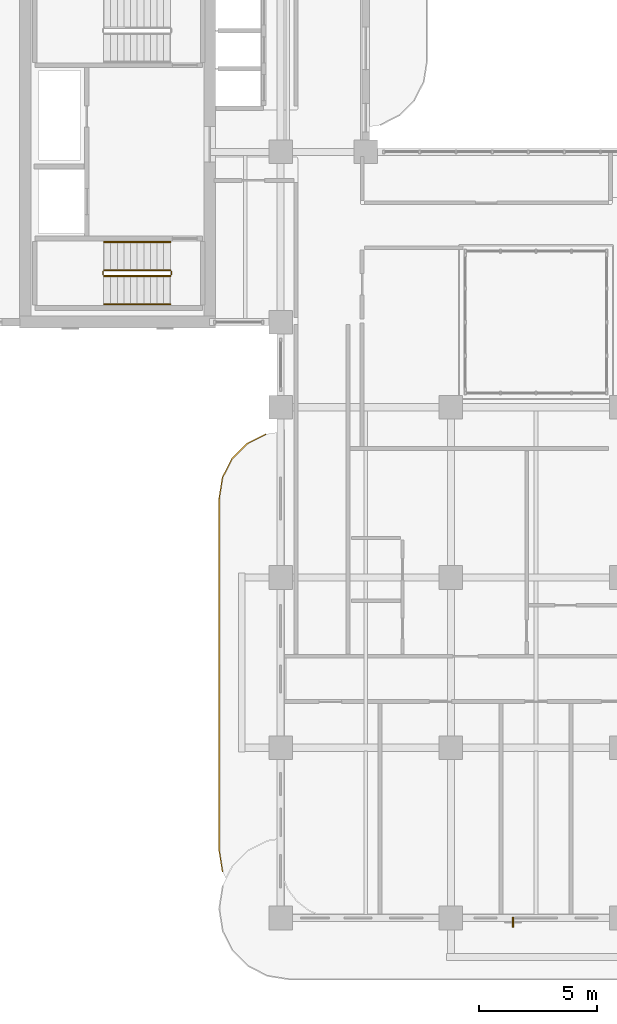
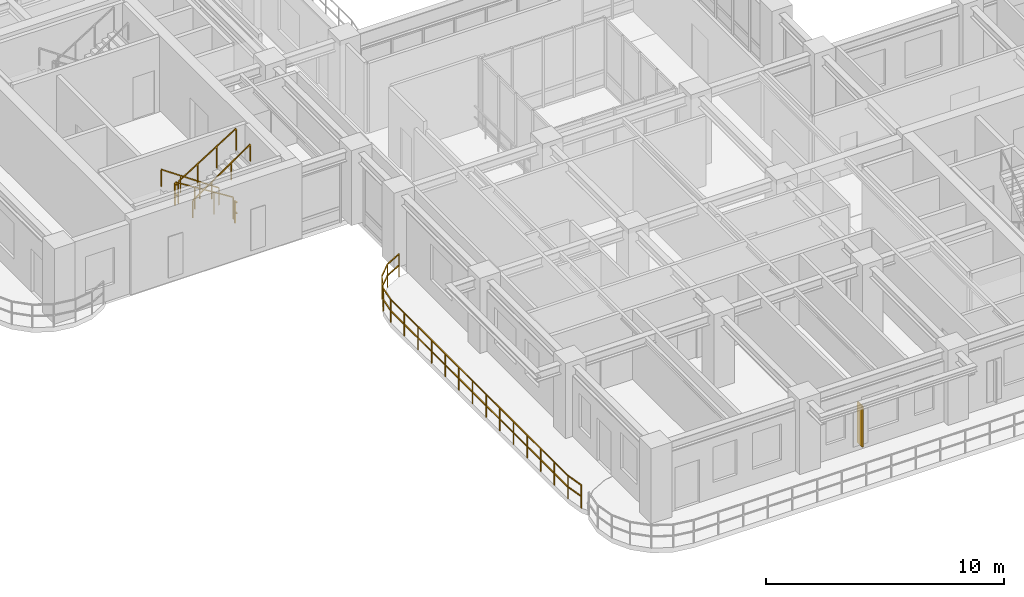
# One storey, part 17 of 21: 7 railings, 1 shading device.
"""IFC4 building model written with IfcOpenShell, lengths in metres."""

from ifc_helpers import new_model, si_unit, derived_unit, direction, frame, origin, origin_2d, place, context, subcontext, project, spatial, rectangle, extrude, source, transform, mapped, material, layer, layer_set, type_object, type_shapes, element, save


model = new_model("IFC4")

# Units and contexts
model_context = context("Model", 3, precision=1e-05, world=origin(), true_north=direction((0.0, 1.0)))
body_context = subcontext(model_context, "Body", "Model", "MODEL_VIEW")
ifc_project = project(units=[si_unit("LENGTHUNIT", "METRE"), si_unit("AREAUNIT", "SQUARE_METRE"), si_unit("VOLUMEUNIT", "CUBIC_METRE"), si_unit("PLANEANGLEUNIT", "RADIAN"), si_unit("MASSUNIT", "GRAM", prefix="KILO"), si_unit("THERMODYNAMICTEMPERATUREUNIT", "KELVIN"), si_unit("POWERUNIT", "WATT"), derived_unit("THERMALTRANSMITTANCEUNIT", [(si_unit("POWERUNIT", "WATT"), 1), (si_unit("AREAUNIT", "SQUARE_METRE"), -1), (si_unit("THERMODYNAMICTEMPERATUREUNIT", "KELVIN"), -1)])], contexts=[model_context])

# Site, building, storey
site_placement = place(None, origin())
site = spatial("IfcSite", under=ifc_project, at=site_placement, CompositionType="ELEMENT")
building_placement = place(site_placement, origin())
building = spatial("IfcBuilding", under=site, at=building_placement, Name="Zahravan Archway Hotel and Residences", CompositionType="ELEMENT")
storey_placement = place(building_placement, frame((0.0, 0.0, 169.550048828125)))
storey = spatial("IfcBuildingStorey", under=building, at=storey_placement, Name="L42", CompositionType="ELEMENT", Elevation=169.550048828125)

# Railings
ifc_material_1 = material(Name="Bronze & Laminated Glass Balustrade", Category="glass")
railing_type_1 = type_object("IfcRailingType", Name="RL-BAL-1200", PredefinedType="BALUSTRADE", material=ifc_material_1)
railing_1_placement = place(storey_placement, frame((11.939453125, 1.96923828125, 0.0)))
element("IfcRailing", 1, at=railing_1_placement, inside=storey, type_object=railing_type_1, Name="L42 Balustrade RL-SLB-BAL-L42-WA-1", PredefinedType="BALUSTRADE", context=body_context, shape_type="SweptSolid", body=[
    extrude(rectangle(XDim=0.048095703125, YDim=0.048095703125, at=origin_2d()), frame((0.0, 0.0, 1.17578125), z_axis=(-0.156314005608, 0.987707411965, 0.0), x_axis=(-0.987707411965, -0.156314005608, 0.0)), (0.0, 0.0, 1.0), 0.891845703125),
    extrude(rectangle(XDim=0.048095703125, YDim=0.048095703125, at=origin_2d()), frame((0.0, 0.0, 0.60009765625), z_axis=(-0.156314005608, 0.987707411965, 0.0), x_axis=(-0.987707411965, -0.156314005608, 0.0)), (0.0, 0.0, 1.0), 0.891845703125),
    extrude(rectangle(XDim=0.048095703125, YDim=0.048095703125, at=origin_2d()), frame((-0.139404296875, 0.880859375, 1.17578125), z_axis=(0.0, 1.0, 0.0), x_axis=(-1.0, 0.0, 0.0)), (0.0, 0.0, 1.0), 14.89990234375),
    extrude(rectangle(XDim=0.048095703125, YDim=0.048095703125, at=origin_2d()), frame((-0.139404296875, 0.880859375, 0.60009765625), z_axis=(0.0, 1.0, 0.0), x_axis=(-1.0, 0.0, 0.0)), (0.0, 0.0, 1.0), 14.89990234375),
    extrude(rectangle(XDim=0.048095703125, YDim=0.048095703125, at=origin_2d()), frame((-0.139404296875, 15.78076171875, 1.17578125), z_axis=(0.156356282588, 0.987700720307, 0.0), x_axis=(-0.987700720307, 0.156356282588, 0.0)), (0.0, 0.0, 1.0), 0.8916015625),
    extrude(rectangle(XDim=0.048095703125, YDim=0.048095703125, at=origin_2d()), frame((-0.139404296875, 15.78076171875, 0.60009765625), z_axis=(0.156356282588, 0.987700720307, 0.0), x_axis=(-0.987700720307, 0.156356282588, 0.0)), (0.0, 0.0, 1.0), 0.8916015625),
    extrude(rectangle(XDim=0.048095703125, YDim=0.048095703125, at=origin_2d()), frame((0.0, 16.661376953125, 1.17578125), z_axis=(0.45388067135, 0.891062476022, 0.0), x_axis=(-0.891062476022, 0.45388067135, 0.0)), (0.0, 0.0, 1.0), 0.891845703125),
    extrude(rectangle(XDim=0.048095703125, YDim=0.048095703125, at=origin_2d()), frame((0.0, 16.661376953125, 0.60009765625), z_axis=(0.45388067135, 0.891062476022, 0.0), x_axis=(-0.891062476022, 0.45388067135, 0.0)), (0.0, 0.0, 1.0), 0.891845703125),
    extrude(rectangle(XDim=0.048095703125, YDim=0.048095703125, at=origin_2d()), frame((0.40478515625, 17.4560546875, 1.17578125), z_axis=(0.70724367147, 0.706969864397, 0.0), x_axis=(-0.706969864397, 0.70724367147, 0.0)), (0.0, 0.0, 1.0), 0.8916015625),
    extrude(rectangle(XDim=0.048095703125, YDim=0.048095703125, at=origin_2d()), frame((0.40478515625, 17.4560546875, 0.60009765625), z_axis=(0.70724367147, 0.706969864397, 0.0), x_axis=(-0.706969864397, 0.70724367147, 0.0)), (0.0, 0.0, 1.0), 0.8916015625),
    extrude(rectangle(XDim=0.048095703125, YDim=0.048095703125, at=origin_2d()), frame((1.035400390625, 18.08642578125, 1.17578125), z_axis=(0.891006060389, 0.453991409995, 0.0), x_axis=(-0.453991409995, 0.891006060389, 0.0)), (0.0, 0.0, 1.0), 0.8916015625),
    extrude(rectangle(XDim=0.048095703125, YDim=0.048095703125, at=origin_2d()), frame((1.035400390625, 18.08642578125, 0.60009765625), z_axis=(0.891006060389, 0.453991409995, 0.0), x_axis=(-0.453991409995, 0.891006060389, 0.0)), (0.0, 0.0, 1.0), 0.8916015625),
    extrude(rectangle(XDim=0.0419921875, YDim=0.0419921875, at=origin_2d()), origin(), (0.0, 0.0, 1.0), 1.15185546875),
    extrude(rectangle(XDim=0.0419921875, YDim=0.0419921875, at=origin_2d()), frame((-0.139404296875, 0.880859375, 0.0)), (0.0, 0.0, 1.0), 1.15185546875),
    extrude(rectangle(XDim=0.0419921875, YDim=0.0419921875, at=origin_2d()), frame((-0.139404296875, 2.027099609375, 0.0)), (0.0, 0.0, 1.0), 1.15185546875),
    extrude(rectangle(XDim=0.0419921875, YDim=0.0419921875, at=origin_2d()), frame((-0.139404296875, 3.173095703125, 0.0)), (0.0, 0.0, 1.0), 1.15185546875),
    extrude(rectangle(XDim=0.0419921875, YDim=0.0419921875, at=origin_2d()), frame((-0.139404296875, 4.3193359375, 0.0)), (0.0, 0.0, 1.0), 1.15185546875),
    extrude(rectangle(XDim=0.0419921875, YDim=0.0419921875, at=origin_2d()), frame((-0.139404296875, 5.46533203125, 0.0)), (0.0, 0.0, 1.0), 1.15185546875),
    extrude(rectangle(XDim=0.0419921875, YDim=0.0419921875, at=origin_2d()), frame((-0.139404296875, 6.611572265625, 0.0)), (0.0, 0.0, 1.0), 1.15185546875),
    extrude(rectangle(XDim=0.0419921875, YDim=0.0419921875, at=origin_2d()), frame((-0.139404296875, 7.7578125, 0.0)), (0.0, 0.0, 1.0), 1.15185546875),
    extrude(rectangle(XDim=0.0419921875, YDim=0.0419921875, at=origin_2d()), frame((-0.139404296875, 8.90380859375, 0.0)), (0.0, 0.0, 1.0), 1.15185546875),
    extrude(rectangle(XDim=0.0419921875, YDim=0.0419921875, at=origin_2d()), frame((-0.139404296875, 10.050048828125, 0.0)), (0.0, 0.0, 1.0), 1.15185546875),
    extrude(rectangle(XDim=0.0419921875, YDim=0.0419921875, at=origin_2d()), frame((-0.139404296875, 11.1962890625, 0.0)), (0.0, 0.0, 1.0), 1.15185546875),
    extrude(rectangle(XDim=0.0419921875, YDim=0.0419921875, at=origin_2d()), frame((-0.139404296875, 12.34228515625, 0.0)), (0.0, 0.0, 1.0), 1.15185546875),
    extrude(rectangle(XDim=0.0419921875, YDim=0.0419921875, at=origin_2d()), frame((-0.139404296875, 13.488525390625, 0.0)), (0.0, 0.0, 1.0), 1.15185546875),
    extrude(rectangle(XDim=0.0419921875, YDim=0.0419921875, at=origin_2d()), frame((-0.139404296875, 14.634521484375, 0.0)), (0.0, 0.0, 1.0), 1.15185546875),
    extrude(rectangle(XDim=0.0419921875, YDim=0.0419921875, at=origin_2d()), frame((-0.139404296875, 15.78076171875, 0.0)), (0.0, 0.0, 1.0), 1.15185546875),
    extrude(rectangle(XDim=0.0419921875, YDim=0.0419921875, at=origin_2d()), frame((0.0, 16.661376953125, 0.0)), (0.0, 0.0, 1.0), 1.15185546875),
    extrude(rectangle(XDim=0.0419921875, YDim=0.0419921875, at=origin_2d()), frame((0.40478515625, 17.4560546875, 0.0)), (0.0, 0.0, 1.0), 1.15185546875),
    extrude(rectangle(XDim=0.0419921875, YDim=0.0419921875, at=origin_2d()), frame((1.035400390625, 18.08642578125, 0.0)), (0.0, 0.0, 1.0), 1.15185546875),
    extrude(rectangle(XDim=0.0419921875, YDim=0.0419921875, at=origin_2d()), frame((1.829833984375, 18.4912109375, 0.0)), (0.0, 0.0, 1.0), 1.15185546875),
])
ifc_material_2 = material(Name="Painted Tubular Steel", Category="steel")
railing_type_2 = type_object("IfcRailingType", Name="RL-STG-1150", PredefinedType="GUARDRAIL", material=ifc_material_2)
railing_2_placement = place(storey_placement, frame((9.72998046875, 27.389892578125, 0.175048828125)))
element("IfcRailing", 2, at=railing_2_placement, inside=storey, type_object=railing_type_2, Name="L42 ST-B1 stair guard 1", PredefinedType="GUARDRAIL", context=body_context, shape_type="SweptSolid", body=[
    extrude(rectangle(XDim=0.048095703125, YDim=0.048095703125, at=origin_2d()), frame((0.0, 0.0, 1.1259765625), z_axis=(-0.848002457836, 0.0, 0.529992293815), x_axis=(0.0, -1.0, 0.0)), (0.0, 0.0, 1.0), 3.302001953125),
    extrude(rectangle(XDim=0.0419921875, YDim=0.0419921875, at=origin_2d()), origin(), (0.0, 0.0, 1.0), 1.101806640625),
    extrude(rectangle(XDim=0.0419921875, YDim=0.0419921875, at=origin_2d()), frame((-0.933349609375, 0.0, 0.583251953125)), (0.0, 0.0, 1.0), 1.101806640625),
    extrude(rectangle(XDim=0.0419921875, YDim=0.0419921875, at=origin_2d()), frame((-1.86669921875, 0.0, 1.166748046875)), (0.0, 0.0, 1.0), 1.101806640625),
    extrude(rectangle(XDim=0.0419921875, YDim=0.0419921875, at=origin_2d()), frame((-2.800048828125, 0.0, 1.75)), (0.0, 0.0, 1.0), 1.101806640625),
])
railing_3_placement = place(storey_placement, frame((6.8798828125, 27.340087890625, 1.925048828125)))
element("IfcRailing", 3, at=railing_3_placement, inside=storey, type_object=railing_type_2, Name="L42 ST-B1 stair guard 2", PredefinedType="GUARDRAIL", context=body_context, shape_type="SweptSolid", body=[
    extrude(rectangle(XDim=0.048095703125, YDim=0.048095703125, at=origin_2d()), frame((0.0, 0.0, 1.1259765625), z_axis=(0.0, -1.0, 0.0), x_axis=(1.0, 0.0, 0.0)), (0.0, 0.0, 1.0), 0.14013671875),
    extrude(rectangle(XDim=0.048095703125, YDim=0.048095703125, at=origin_2d()), frame((0.0, 0.0, 0.574951171875), z_axis=(0.0, -1.0, 0.0), x_axis=(1.0, 0.0, 0.0)), (0.0, 0.0, 1.0), 0.14013671875),
    extrude(rectangle(XDim=0.0419921875, YDim=0.0419921875, at=origin_2d()), origin(), (0.0, 0.0, 1.0), 1.101806640625),
])
railing_4_placement = place(storey_placement, frame((6.929931640625, 27.14990234375, 2.099853515625)))
element("IfcRailing", 4, at=railing_4_placement, inside=storey, type_object=railing_type_2, Name="L42 ST-B1 stair guard 3", PredefinedType="GUARDRAIL", context=body_context, shape_type="SweptSolid", body=[
    extrude(rectangle(XDim=0.048095703125, YDim=0.048095703125, at=origin_2d()), frame((0.0, 0.0, 1.1259765625), z_axis=(0.848002457836, 0.0, 0.529992293815), x_axis=(0.0, 1.0, 0.0)), (0.0, 0.0, 1.0), 3.302001953125),
    extrude(rectangle(XDim=0.0419921875, YDim=0.0419921875, at=origin_2d()), origin(), (0.0, 0.0, 1.0), 1.101806640625),
    extrude(rectangle(XDim=0.0419921875, YDim=0.0419921875, at=origin_2d()), frame((0.933349609375, 0.0, 0.583251953125)), (0.0, 0.0, 1.0), 1.101806640625),
    extrude(rectangle(XDim=0.0419921875, YDim=0.0419921875, at=origin_2d()), frame((1.86669921875, 0.0, 1.166748046875)), (0.0, 0.0, 1.0), 1.101806640625),
    extrude(rectangle(XDim=0.0419921875, YDim=0.0419921875, at=origin_2d()), frame((2.800048828125, 0.0, 1.75)), (0.0, 0.0, 1.0), 1.101806640625),
])
railing_5_placement = place(storey_placement, frame((9.780029296875, 27.340087890625, 0.0)))
element("IfcRailing", 5, at=railing_5_placement, inside=storey, type_object=railing_type_2, Name="L42 ST-B1 stair guard 4", PredefinedType="GUARDRAIL", context=body_context, shape_type="SweptSolid", body=[
    extrude(rectangle(XDim=0.048095703125, YDim=0.048095703125, at=origin_2d()), frame((0.0, 0.0, 1.1259765625), z_axis=(0.0, -1.0, 0.0), x_axis=(1.0, 0.0, 0.0)), (0.0, 0.0, 1.0), 0.14013671875),
    extrude(rectangle(XDim=0.048095703125, YDim=0.048095703125, at=origin_2d()), frame((0.0, 0.0, 0.574951171875), z_axis=(0.0, -1.0, 0.0), x_axis=(1.0, 0.0, 0.0)), (0.0, 0.0, 1.0), 0.14013671875),
    extrude(rectangle(XDim=0.0419921875, YDim=0.0419921875, at=origin_2d()), origin(), (0.0, 0.0, 1.0), 1.101806640625),
])
ifc_material_3 = material(Name="Brushed Stainless Steel", Category="steel")
railing_type_3 = type_object("IfcRailingType", Name="RL-STH-900", PredefinedType="HANDRAIL", material=ifc_material_3)
railing_6_placement = place(storey_placement, frame((9.72998046875, 28.590087890625, 0.175048828125)))
element("IfcRailing", 6, at=railing_6_placement, inside=storey, type_object=railing_type_3, Name="L42 ST-B1 stair handrail 1", PredefinedType="HANDRAIL", context=body_context, shape_type="SweptSolid", body=[
    extrude(rectangle(XDim=0.048095703125, YDim=0.048095703125, at=origin_2d()), frame((0.0, 0.0, 0.8759765625), z_axis=(-0.824073370198, 0.0, 0.566483080534), x_axis=(0.0, -1.0, 0.0)), (0.0, 0.0, 1.0), 3.397705078125),
    extrude(rectangle(XDim=0.0419921875, YDim=0.0419921875, at=origin_2d()), origin(), (0.0, 0.0, 1.0), 0.851806640625),
    extrude(rectangle(XDim=0.0419921875, YDim=0.0419921875, at=origin_2d()), frame((-0.933349609375, 0.0, 0.6416015625)), (0.0, 0.0, 1.0), 0.851806640625),
    extrude(rectangle(XDim=0.0419921875, YDim=0.0419921875, at=origin_2d()), frame((-1.86669921875, 0.0, 1.283203125)), (0.0, 0.0, 1.0), 0.851806640625),
    extrude(rectangle(XDim=0.0419921875, YDim=0.0419921875, at=origin_2d()), frame((-2.800048828125, 0.0, 1.9248046875)), (0.0, 0.0, 1.0), 0.851806640625),
])
railing_7_placement = place(storey_placement, frame((6.929931640625, 25.949951171875, 2.099853515625)))
element("IfcRailing", 7, at=railing_7_placement, inside=storey, type_object=railing_type_3, Name="L42 ST-B1 stair handrail 2", PredefinedType="HANDRAIL", context=body_context, shape_type="SweptSolid", body=[
    extrude(rectangle(XDim=0.048095703125, YDim=0.048095703125, at=origin_2d()), frame((0.0, 0.0, 0.8759765625), z_axis=(0.824039827795, 0.0, 0.566531872191), x_axis=(0.0, 1.0, 0.0)), (0.0, 0.0, 1.0), 3.39794921875),
    extrude(rectangle(XDim=0.0419921875, YDim=0.0419921875, at=origin_2d()), origin(), (0.0, 0.0, 1.0), 0.851806640625),
    extrude(rectangle(XDim=0.0419921875, YDim=0.0419921875, at=origin_2d()), frame((0.933349609375, 0.0, 0.6416015625)), (0.0, 0.0, 1.0), 0.851806640625),
    extrude(rectangle(XDim=0.0419921875, YDim=0.0419921875, at=origin_2d()), frame((1.86669921875, 0.0, 1.283447265625)), (0.0, 0.0, 1.0), 0.851806640625),
    extrude(rectangle(XDim=0.0419921875, YDim=0.0419921875, at=origin_2d()), frame((2.800048828125, 0.0, 1.925048828125)), (0.0, 0.0, 1.0), 0.851806640625),
])

# Shading device
ifc_material_4 = material(Name="Terracotta & Bronze Solar Brise-Soleil", Category="masonry")
ifc_layer = layer(ifc_material_4, 0.06005859375, Name="Terracotta & Bronze Solar Brise-Soleil", Category="masonry")
ifc_layer_set = layer_set([ifc_layer], Name="Terracotta & Bronze Solar Brise-Soleil")
shading_device_type = type_object("IfcShadingDeviceType", Name="SHD-MASH-FIN", PredefinedType="JALOUSIE", material=ifc_layer_set)
shared_shape = source(origin(), body_context, "Body", "SweptSolid", [
    extrude(rectangle(XDim=0.06005859375, YDim=0.419921875, at=origin_2d()), origin(), (0.0, 0.0, 1.0), 2.10009765625),
])
type_shapes(shading_device_type, [shared_shape])
shading_device_placement = place(storey_placement, frame((24.22802734375, -0.177978515625, 0.25), z_axis=(0.0, 0.0, 1.0), x_axis=(1.0, 0.0, 0.0)))
element("IfcShadingDevice", 8, at=shading_device_placement, inside=storey, type_object=shading_device_type, Name="L42 Solar Mashrabiya Fin 01", PredefinedType="JALOUSIE", context=body_context, shape_type="MappedRepresentation", body=[
    mapped(shared_shape, transform((0.0, 0.0, 0.0), scale=1.0)),
])

save(model, "model.ifc")
